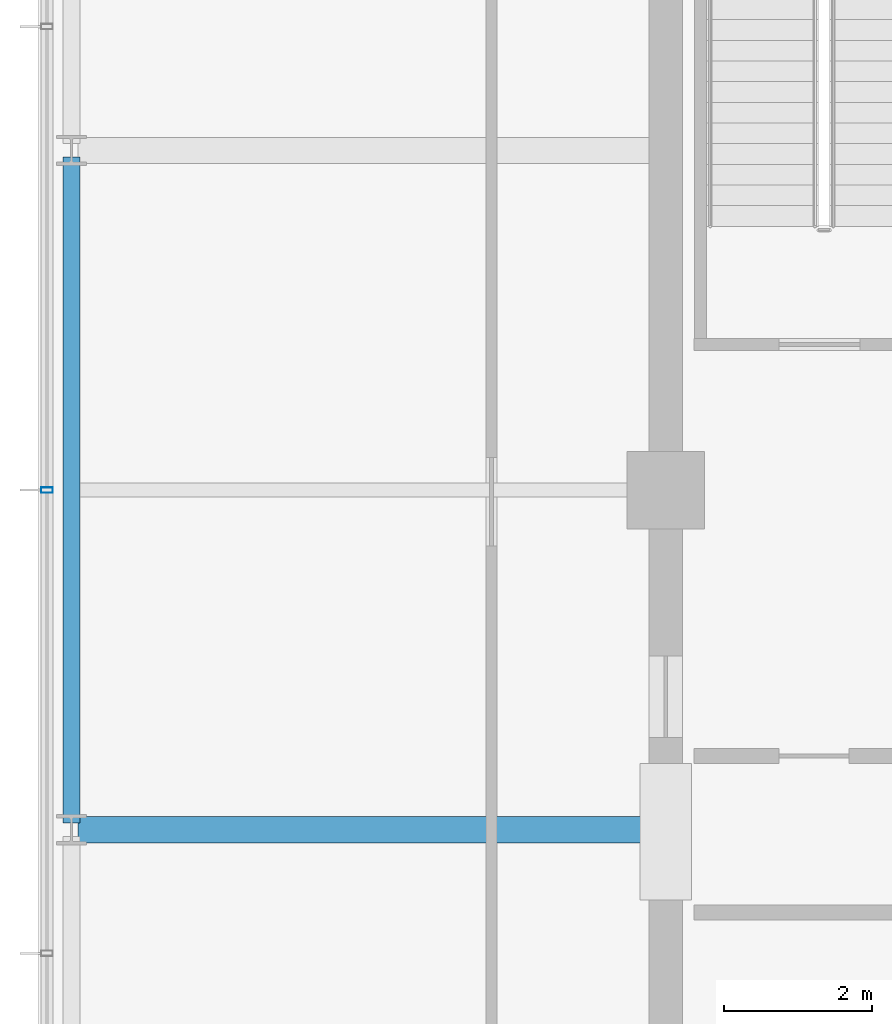
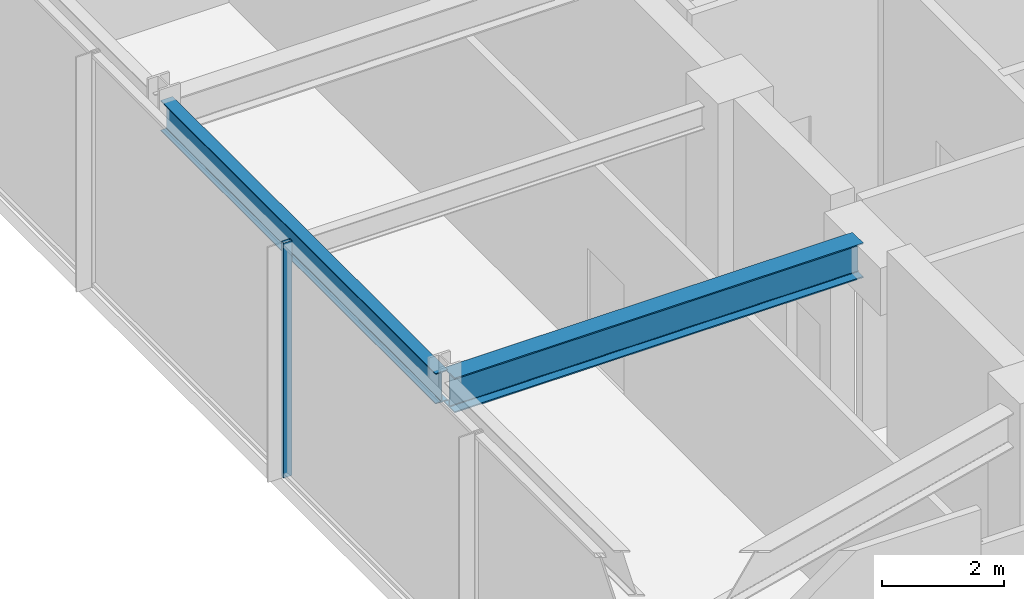
# One storey, part 7 of 31: 2 beams, 1 member, 1 element without a shape of its own.
"""IFC4 building model written with IfcOpenShell, lengths in metres."""

from ifc_helpers import new_model, si_unit, direction, frame, origin, origin_2d, place, context, subcontext, project, spatial, hollow_rectangle, i_section, extrude, material, material_profile, profile_set, type_object, element, aggregate, save


model = new_model("IFC4")

# Units and contexts
model_context = context("Model", 3, precision=1e-05, world=origin(), true_north=direction((0.0, 1.0)))
body_context = subcontext(model_context, "Body", "Model", "MODEL_VIEW")
ifc_project = project(units=[si_unit("LENGTHUNIT", "METRE"), si_unit("AREAUNIT", "SQUARE_METRE"), si_unit("VOLUMEUNIT", "CUBIC_METRE"), si_unit("PLANEANGLEUNIT", "RADIAN"), si_unit("MASSUNIT", "GRAM", prefix="KILO")], contexts=[model_context])

# Site, building, storey
site_placement = place(None, origin())
site = spatial("IfcSite", under=ifc_project, at=site_placement, CompositionType="ELEMENT")
building_placement = place(site_placement, origin())
building = spatial("IfcBuilding", under=site, at=building_placement, Name="Kolvaren Belvedere", CompositionType="ELEMENT")
storey_placement = place(building_placement, frame((0.0, 0.0, 267.39990234375)))
storey = spatial("IfcBuildingStorey", under=building, at=storey_placement, Name="L77", CompositionType="ELEMENT", Elevation=267.39990234375)

# Beams
ifc_material_1 = material(Name="Structural steel ASTM A992 Grade 50", Category="steel")
ifc_material_profile_1 = material_profile(ifc_material_1, i_section(OverallWidth=0.35498046875, OverallDepth=0.696044921875, WebThickness=0.015380859375, FlangeThickness=0.02490234375, FilletRadius=0.02197265625, at=origin_2d()), Name="W27X146")
ifc_profile_set_1 = profile_set([ifc_material_profile_1], Name="Structural steel ASTM A992 Grade 50")
beam_type_1 = type_object("IfcBeamType", Name="BM-GIRD-W27X146", PredefinedType="BEAM", material=ifc_profile_set_1)
beam_1_placement = place(storey_placement, frame((-10.125, -4.60009765625, 4.35205078125), z_axis=(-1.0, 0.0, 0.0), x_axis=(0.0, -1.0, 0.0)))
element("IfcBeam", 1, at=beam_1_placement, inside=storey, type_object=beam_type_1, Name="L77 West Radial Girder M", PredefinedType="BEAM", context=body_context, shape_type="SweptSolid", body=[
    extrude(i_section(OverallWidth=0.35498046875, OverallDepth=0.696044921875, WebThickness=0.015380859375, FlangeThickness=0.02490234375, FilletRadius=0.02197265625, at=origin_2d()), origin(), (0.0, 0.0, 1.0), 7.7333984375),
])
ifc_material_2 = material(Name="Structural steel ASTM A992 Grade 50", Category="steel")
ifc_material_profile_2 = material_profile(ifc_material_2, i_section(OverallWidth=0.22900390625, OverallDepth=0.612060546875, WebThickness=0.011962890625, FlangeThickness=0.01953125, FilletRadius=0.01806640625, at=origin_2d()), Name="W24X84")
ifc_profile_set_2 = profile_set([ifc_material_profile_2], Name="Structural steel ASTM A992 Grade 50")
beam_type_2 = type_object("IfcBeamType", Name="BM-SPAN-W24X84", PredefinedType="SPANDREL", material=ifc_profile_set_2)
beam_2_placement = place(storey_placement, frame((-17.949951171875, 4.50830078125, 4.39404296875), z_axis=(0.0, -1.0, 0.0), x_axis=(1.0, 0.0, 0.0)))
element("IfcBeam", 2, at=beam_2_placement, inside=storey, type_object=beam_type_2, Name="L77 Perimeter Spandrel W3-W2", PredefinedType="SPANDREL", context=body_context, shape_type="SweptSolid", body=[
    extrude(i_section(OverallWidth=0.22900390625, OverallDepth=0.612060546875, WebThickness=0.011962890625, FlangeThickness=0.01953125, FilletRadius=0.01806640625, at=origin_2d()), origin(), (0.0, 0.0, 1.0), 9.0166015625),
])

# Curtain wall, member
ifc_material_3 = material(Name="Anodised pale-metal aluminium AA 6063-T6", Category="aluminium")
curtain_wall_type = type_object("IfcCurtainWallType", Name="CW-CRN-OBS", PredefinedType="NOTDEFINED", material=ifc_material_3)
curtain_wall_placement = place(storey_placement, origin())
curtain_wall = element("IfcCurtainWall", 3, at=curtain_wall_placement, inside=storey, type_object=curtain_wall_type, Name="L77 Unitised Curtain Wall FCW-L77-W", PredefinedType="NOTDEFINED")
ifc_material_4 = material(Name="Anodised pale-metal aluminium AA 6063-T6", Category="aluminium")
ifc_material_profile_3 = material_profile(ifc_material_4, hollow_rectangle(XDim=0.074951171875, YDim=0.159912109375, WallThickness=0.00439453125, at=origin_2d()), Name="ALU-MUL-160X75")
ifc_profile_set_3 = profile_set([ifc_material_profile_3], Name="Anodised pale-metal aluminium AA 6063-T6")
member_type = type_object("IfcMemberType", Name="CW-MUL-160", PredefinedType="MULLION", material=ifc_profile_set_3)
member_placement = place(storey_placement, frame((-18.280029296875, 0.0, 0.0), z_axis=(0.0, 0.0, 1.0), x_axis=(0.0, 1.0, 0.0)))
member = element("IfcMember", 4, at=member_placement, type_object=member_type, Name="FCW-L77-W Unitised Mullion 3", PredefinedType="MULLION", context=body_context, shape_type="SweptSolid", body=[
    extrude(hollow_rectangle(XDim=0.074951171875, YDim=0.159912109375, WallThickness=0.00439453125, at=origin_2d()), origin(), (0.0, 0.0, 1.0), 4.7001953125),
])
aggregate(curtain_wall, [member])

save(model, "model.ifc")
